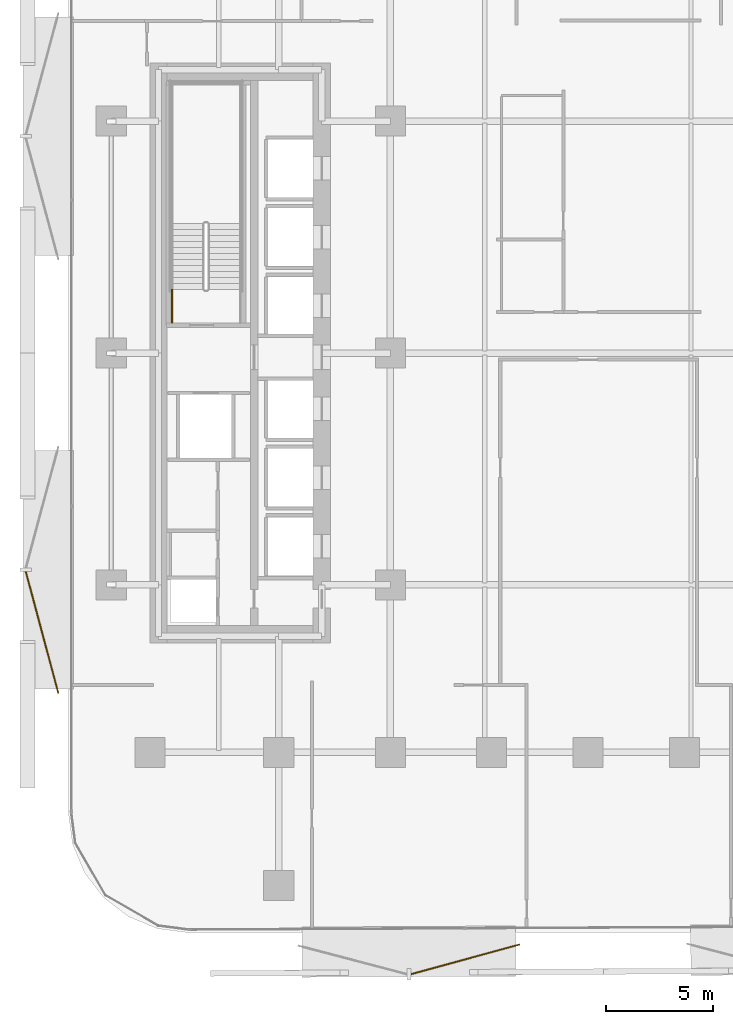
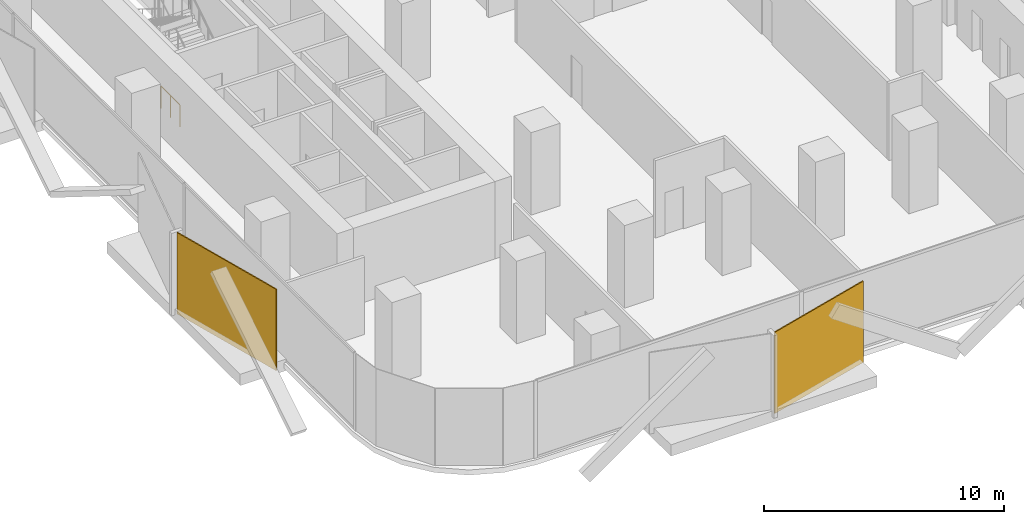
# One storey, part 11 of 15: 2 coverings, 1 railing.
"""IFC4 building model written with IfcOpenShell, lengths in metres."""

from ifc_helpers import new_model, si_unit, direction, frame, origin, origin_2d, place, context, subcontext, project, spatial, rectangle, circle, extrude, material, layer, layer_set, type_object, element, save


model = new_model("IFC4")

# Units and contexts
model_context = context("Model", 3, precision=1e-05, world=origin(), true_north=direction((0.0, 1.0)))
body_context = subcontext(model_context, "Body", "Model", "MODEL_VIEW")
ifc_project = project(units=[si_unit("LENGTHUNIT", "METRE"), si_unit("AREAUNIT", "SQUARE_METRE"), si_unit("VOLUMEUNIT", "CUBIC_METRE"), si_unit("PLANEANGLEUNIT", "RADIAN"), si_unit("MASSUNIT", "GRAM", prefix="KILO")], contexts=[model_context])

# Site, building, storey
site_placement = place(None, origin())
site = spatial("IfcSite", under=ifc_project, at=site_placement, CompositionType="ELEMENT")
building_placement = place(site_placement, origin())
building = spatial("IfcBuilding", under=site, at=building_placement, Name="Khairoan Windgate Tower", CompositionType="ELEMENT")
storey_placement = place(building_placement, frame((0.0, 0.0, 76.39990234375)))
storey = spatial("IfcBuildingStorey", under=building, at=storey_placement, Name="L18", CompositionType="ELEMENT", Elevation=76.39990234375)

# Coverings
ifc_material_1 = material(Name="Anodised Bronze Aluminium 6063-T6", Category="aluminium")
ifc_layer = layer(ifc_material_1, 0.054931640625, Name="Anodised Bronze Aluminium 6063-T6")
ifc_layer_set = layer_set([ifc_layer], Name="Anodised Bronze Aluminium 6063-T6")
covering_type = type_object("IfcCoveringType", Name="Perforated Bronze-Ceramic Folded Solar Screen Cladding BSC-1", PredefinedType="CLADDING", material=ifc_layer_set)
covering_1_placement = place(storey_placement, frame((-5.70751953125, -28.238037109375, -0.099609375), z_axis=(0.0, 0.0, 1.0), x_axis=(-0.964649468762, -0.263536339841, 0.0)))
element("IfcCovering", 1, at=covering_1_placement, inside=storey, type_object=covering_type, Name="L18 Folded Bronze Solar Screen Facet 98L", PredefinedType="CLADDING", context=body_context, shape_type="SweptSolid", body=[
    extrude(rectangle(XDim=5.25, YDim=0.054931640625, at=origin_2d()), origin(), (0.0, 0.0, 1.0), 4.139892578125),
])
covering_2_placement = place(storey_placement, frame((-25.42236328125, -13.01318359375, -0.099609375), z_axis=(0.0, 0.0, 1.0), x_axis=(-0.258819045103, 0.965925826289, 0.0)))
element("IfcCovering", 2, at=covering_2_placement, inside=storey, type_object=covering_type, Name="L18 Folded Bronze Solar Screen Facet 99L", PredefinedType="CLADDING", context=body_context, shape_type="SweptSolid", body=[
    extrude(rectangle(XDim=5.85498046875, YDim=0.054931640625, at=origin_2d()), origin(), (0.0, 0.0, 1.0), 4.139892578125),
])

# Railing
ifc_material_2 = material(Name="Steel S355", Category="steel")
railing_type = type_object("IfcRailingType", Name="Stairwell Safety Guardrail SGR-1150", PredefinedType="GUARDRAIL", material=ifc_material_2)
railing_placement = place(storey_placement, frame((-19.3701171875, 1.39990234375, 0.0)))
element("IfcRailing", 3, at=railing_placement, inside=storey, type_object=railing_type, Name="L18 ST2 stair guard 9", PredefinedType="GUARDRAIL", context=body_context, shape_type="SweptSolid", body=[
    extrude(circle(Radius=0.02392578125, at=origin_2d()), frame((0.0, 0.0, 1.1259765625), z_axis=(0.0, 1.0, 0.0), x_axis=(-1.0, 0.0, 0.0)), (0.0, 0.0, 1.0), 1.56005859375),
    extrude(circle(Radius=0.02099609375, at=origin_2d()), origin(), (0.0, 0.0, 1.0), 1.101806640625),
    extrude(circle(Radius=0.02099609375, at=origin_2d()), frame((0.0, 0.780029296875, 0.0)), (0.0, 0.0, 1.0), 1.101806640625),
    extrude(circle(Radius=0.02099609375, at=origin_2d()), frame((0.0, 1.56005859375, 0.0)), (0.0, 0.0, 1.0), 1.101806640625),
])

save(model, "model.ifc")
